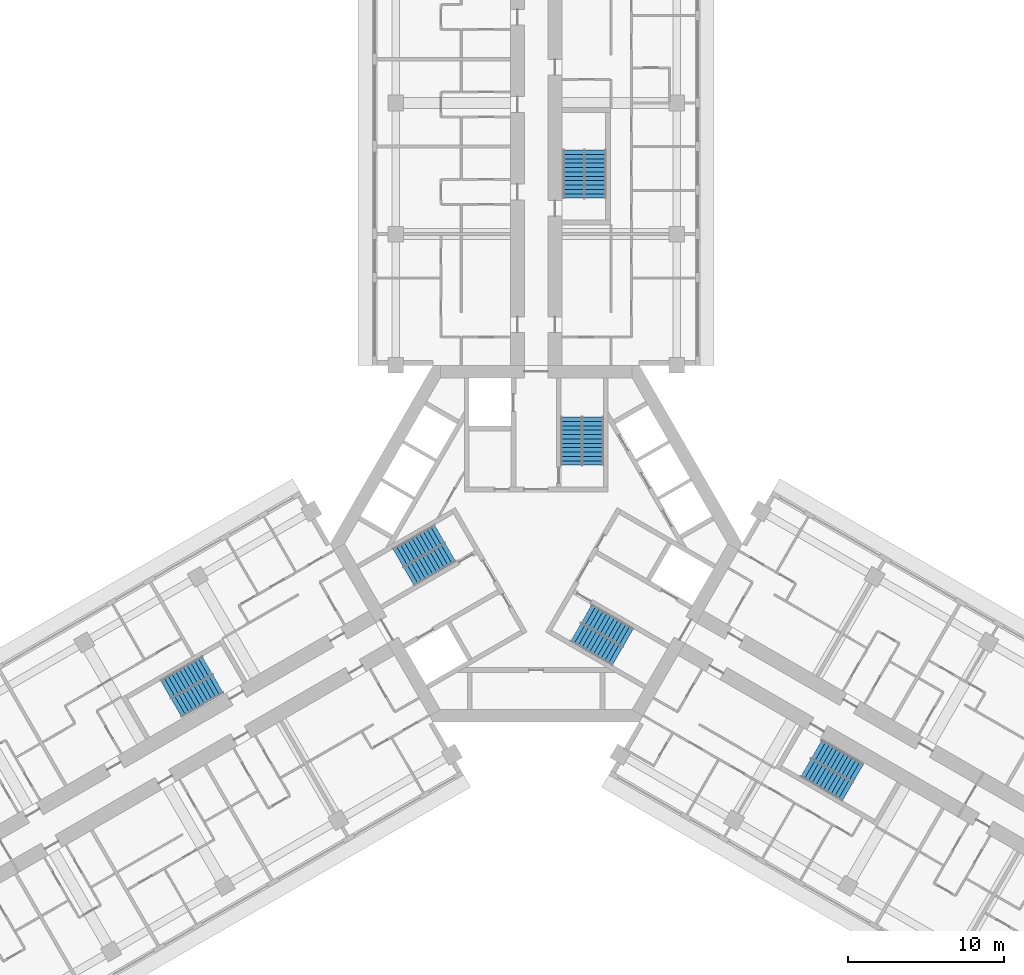
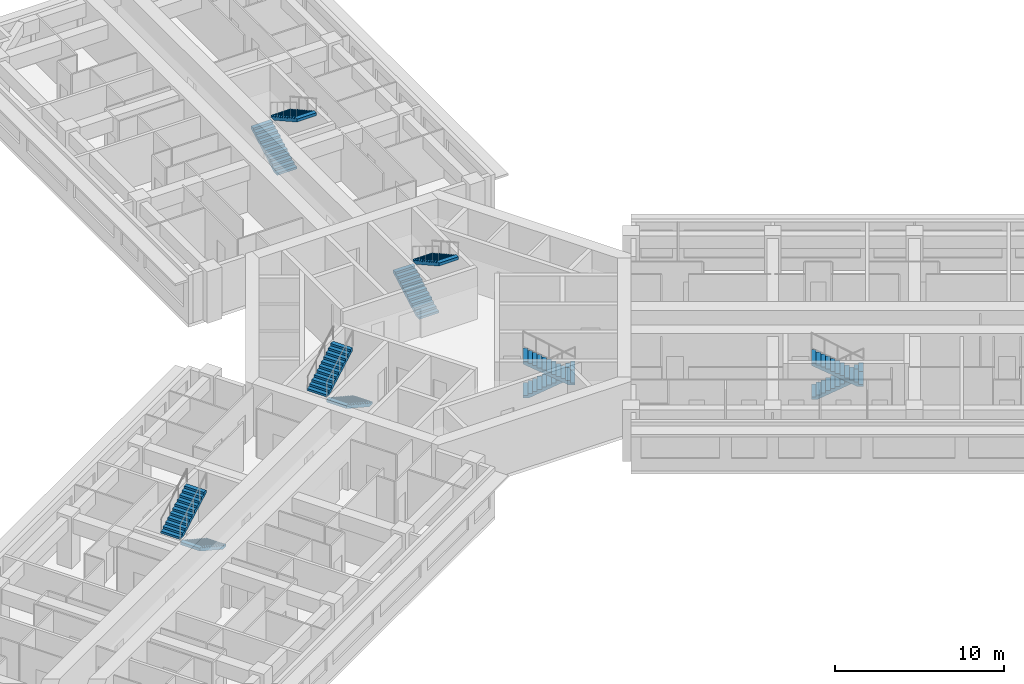
# One storey, part 14 of 15: 12 stair flights, 6 elements without a shape of their own.
"""IFC4 building model written with IfcOpenShell, lengths in metres."""

import ifcopenshell
import ifcopenshell.guid

model = None  # the IFC model being written
_history = None  # IfcOwnerHistory: only IFC2X3 demands one
_inside = {}  # id of a spatial element -> (the spatial element, [elements in it])
_under = {}  # id of a project, library or spatial element -> (it, [spatial elements below it])
_declared = {}  # id of a project -> (the project, [libraries it declares])
_typed = {}  # id of a type object -> (the type object, [elements of that type])
_made_of = {}  # id of a material, layer set ... -> (it, [elements and type objects made of it])


def new_model(schema):
    """Start an empty IFC model of exactly this schema.

    Asked for "IFC4X3", IfcOpenShell would pick the latest addendum, in which some entities
    have other attributes; the version numbers below select the first issue.
    IFC2X3 requires an IfcOwnerHistory on every rooted entity: one is made here for all.
    """
    global model, _history
    if schema == "IFC4X3":
        model = ifcopenshell.file(schema_version=(4, 3, 0, 0))
    else:
        model = ifcopenshell.file(schema=schema)
    _inside.clear()
    _under.clear()
    _declared.clear()
    _typed.clear()
    _made_of.clear()
    _history = None
    if model.schema == "IFC2X3":
        org = make("IfcOrganization", Name="unknown")
        user = make(
            "IfcPersonAndOrganization",
            ThePerson=make("IfcPerson", FamilyName="unknown"),
            TheOrganization=org,
        )
        app = make(
            "IfcApplication",
            ApplicationDeveloper=org,
            Version="unknown",
            ApplicationFullName="unknown",
            ApplicationIdentifier="unknown",
        )
        _history = make(
            "IfcOwnerHistory",
            OwningUser=user,
            OwningApplication=app,
            ChangeAction="ADDED",
            CreationDate=0,
        )
    return model


def make(cls, **values):
    """One entity of the class cls with the attributes given. An attribute that is None is left unset."""
    return model.create_entity(
        cls, **{name: value for name, value in values.items() if value is not None}
    )


def rooted(cls, **values):
    """An entity with a GlobalId (a new one), such as an element, a storey or a relation."""
    return make(cls, GlobalId=ifcopenshell.guid.new(), OwnerHistory=_history, **values)


def si_unit(unit_type, name, prefix=None):
    """IfcSIUnit, for example si_unit("LENGTHUNIT", "METRE", prefix="MILLI")."""
    return make("IfcSIUnit", UnitType=unit_type, Prefix=prefix, Name=name)


def assignment(units):
    """IfcUnitAssignment: the units of a project."""
    return None if units is None else make("IfcUnitAssignment", Units=units)


def point(xyz):
    """IfcCartesianPoint."""
    return None if xyz is None else make("IfcCartesianPoint", Coordinates=xyz)


def direction(xyz):
    """IfcDirection."""
    return None if xyz is None else make("IfcDirection", DirectionRatios=xyz)


def frame(location, z_axis=None, x_axis=None):
    """IfcAxis2Placement3D, a coordinate frame: its origin and axes. An axis left out is left unset."""
    return make(
        "IfcAxis2Placement3D",
        Location=point(location),
        Axis=direction(z_axis),
        RefDirection=direction(x_axis),
    )


def origin():
    """The frame at (0, 0, 0) with its axes left unset."""
    return frame((0.0, 0.0, 0.0))


def place(relative_to, where):
    """IfcLocalPlacement: puts the frame where relative to a parent placement (None: the world)."""
    return make(
        "IfcLocalPlacement", PlacementRelTo=relative_to, RelativePlacement=where
    )


def context(
    kind, dimensions, precision=None, world=None, true_north=None, identifier=None
):
    """IfcGeometricRepresentationContext, for example the 3D "Model" context."""
    return make(
        "IfcGeometricRepresentationContext",
        ContextIdentifier=identifier,
        ContextType=kind,
        CoordinateSpaceDimension=dimensions,
        Precision=precision,
        WorldCoordinateSystem=world,
        TrueNorth=true_north,
    )


def subcontext(parent, identifier, kind, view, scale=None):
    """IfcGeometricRepresentationSubContext, for example "Body" below "Model"."""
    return make(
        "IfcGeometricRepresentationSubContext",
        ContextIdentifier=identifier,
        ContextType=kind,
        ParentContext=parent,
        TargetScale=scale,
        TargetView=view,
    )


def project(units=None, contexts=None):
    """IfcProject with its units and contexts."""
    return rooted(
        "IfcProject",
        Name="project",
        RepresentationContexts=contexts,
        UnitsInContext=assignment(units),
    )


def spatial(cls, under=None, at=None, **own):
    """A site, building, storey or space (cls), placed at a placement, below another one or the project."""
    s = rooted(cls, ObjectPlacement=at, **own)
    if under is not None:
        _under.setdefault(under.id(), (under, []))[1].append(s)
    return s


def polyline(points):
    """IfcPolyline through the points."""
    return make("IfcPolyline", Points=[point(p) for p in points])


def outline(outer, holes=None, kind="AREA"):
    """IfcArbitraryClosedProfileDef: a profile drawn as a closed curve; with holes, ...WithVoids."""
    if holes is None:
        return make("IfcArbitraryClosedProfileDef", ProfileType=kind, OuterCurve=outer)
    return make(
        "IfcArbitraryProfileDefWithVoids",
        ProfileType=kind,
        OuterCurve=outer,
        InnerCurves=holes,
    )


def extrude(swept, where, along, depth):
    """IfcExtrudedAreaSolid: the profile swept, set in the frame where, extruded along a direction by depth."""
    return make(
        "IfcExtrudedAreaSolid",
        SweptArea=swept,
        Position=where,
        ExtrudedDirection=direction(along),
        Depth=depth,
    )


def shape(context_of_items, identifier, shape_type, items):
    """IfcShapeRepresentation: the items that make up one representation, for example the "Body"."""
    return make(
        "IfcShapeRepresentation",
        ContextOfItems=context_of_items,
        RepresentationIdentifier=identifier,
        RepresentationType=shape_type,
        Items=items,
    )


def material(Name=None, Category=None):
    """IfcMaterial."""
    return make("IfcMaterial", Name=Name, Category=Category)


def made_of(thing, what):
    """Note that an element or type object is made of a material, layer set ...; save() writes the relation."""
    if what is not None:
        _made_of.setdefault(what.id(), (what, []))[1].append(thing)
    return thing


def type_object(cls, material=None, **own):
    """A type object (cls), such as IfcWallType, which elements share."""
    return made_of(rooted(cls, **own), material)


def element(
    cls,
    number,
    at=None,
    inside=None,
    cuts=None,
    type_object=None,
    material=None,
    context=None,
    identifier="Body",
    shape_type=None,
    held_by="IfcProductDefinitionShape",
    body=None,
    shapes=None,
    **own,
):
    """One element of the class cls, such as IfcWall. Its Tag is "e" and its number.

    at: its placement. inside: the storey or other place that contains it. cuts: it is an
    opening in that element (IfcRelVoidsElement). A single representation is given by context,
    identifier, shape_type and body (its items); several are given by shapes. held_by: the class
    of the entity that holds the representations. save() writes the other relations.
    """
    e = rooted(cls, Tag="e%d" % number, ObjectPlacement=at, **own)
    if body is not None:
        shapes = [shape(context, identifier, shape_type, body)]
    if shapes is not None:
        e.Representation = make(held_by, Representations=shapes)
    if inside is not None:
        _inside.setdefault(inside.id(), (inside, []))[1].append(e)
    if cuts is not None:
        rooted(
            "IfcRelVoidsElement", RelatingBuildingElement=cuts, RelatedOpeningElement=e
        )
    if type_object is not None:
        _typed.setdefault(type_object.id(), (type_object, []))[1].append(e)
    return made_of(e, material)


def aggregate(whole, parts):
    """IfcRelAggregates: a whole, such as a stair, and the parts it consists of."""
    return rooted("IfcRelAggregates", RelatingObject=whole, RelatedObjects=parts)


def save(model, path):
    """Write the relations noted so far, then the file.

    IfcRelAggregates (storeys below a building ...), IfcRelContainedInSpatialStructure (elements
    in a storey), IfcRelDefinesByType, IfcRelAssociatesMaterial and IfcRelDeclares: one each for
    every whole, place, type object, material and project.
    """
    for whole, parts in _under.values():
        aggregate(whole, parts)
    for where, things in _inside.values():
        rooted(
            "IfcRelContainedInSpatialStructure",
            RelatedElements=things,
            RelatingStructure=where,
        )
    for kind, things in _typed.values():
        rooted("IfcRelDefinesByType", RelatedObjects=things, RelatingType=kind)
    for what, things in _made_of.values():
        rooted("IfcRelAssociatesMaterial", RelatedObjects=things, RelatingMaterial=what)
    for by, libraries in _declared.values():
        rooted("IfcRelDeclares", RelatingContext=by, RelatedDefinitions=libraries)
    model.write(path)


model = new_model("IFC4")

# Units and contexts
model_context = context("Model", 3, precision=1e-05, world=origin(), true_north=direction((0.0, 1.0)))
body_context = subcontext(model_context, "Body", "Model", "MODEL_VIEW")
ifc_project = project(units=[si_unit("LENGTHUNIT", "METRE"), si_unit("AREAUNIT", "SQUARE_METRE"), si_unit("VOLUMEUNIT", "CUBIC_METRE"), si_unit("PLANEANGLEUNIT", "RADIAN"), si_unit("MASSUNIT", "GRAM", prefix="KILO")], contexts=[model_context])

# Site, building, storey
site_placement = place(None, origin())
site = spatial("IfcSite", under=ifc_project, at=site_placement, CompositionType="ELEMENT")
building_placement = place(site_placement, origin())
building = spatial("IfcBuilding", under=site, at=building_placement, Name="Impinga Residences", CompositionType="ELEMENT")
storey_placement = place(building_placement, frame((0.0, 0.0, 113.5)))
storey = spatial("IfcBuildingStorey", under=building, at=storey_placement, Name="L27", CompositionType="ELEMENT", Elevation=113.5)

# Stair, stair flights
ifc_material = material(Name="Concrete C40/50", Category="concrete")
stair_type_1 = type_object("IfcStairType", Name="STR core stair 3750 storey, 24 risers", PredefinedType="HALF_TURN_STAIR", material=ifc_material)
stair_1_placement = place(storey_placement, origin())
stair_1 = element("IfcStair", 1, at=stair_1_placement, inside=storey, type_object=stair_type_1, Name="Stair ST1 L27", PredefinedType="HALF_TURN_STAIR")
stair_flight_type = type_object("IfcStairFlightType", Name="SF 12 risers of 156", PredefinedType="STRAIGHT", material=ifc_material)
stair_flight_1_placement = place(storey_placement, frame((2.27490234375, 5.030029296875, 0.0), z_axis=(0.0, 0.0, 1.0), x_axis=(0.0, 1.0, 0.0)))
stair_flight_1 = element("IfcStairFlight", 2, at=stair_flight_1_placement, type_object=stair_flight_type, Name="ST1 flight 1", NumberOfRisers=12, NumberOfTreads=11, PredefinedType="STRAIGHT", RiserHeight=0.15625, TreadLength=0.28, context=body_context, shape_type="SweptSolid", body=[
    extrude(outline(polyline([(0.0, 0.0), (0.0, 0.15625), (0.280029296875, 0.15625), (0.280029296875, 0.3125), (0.56005859375, 0.3125), (0.56005859375, 0.46875), (0.840087890625, 0.46875), (0.840087890625, 0.625), (1.1201171875, 0.625), (1.1201171875, 0.78125), (1.39990234375, 0.78125), (1.39990234375, 0.9375), (1.679931640625, 0.9375), (1.679931640625, 1.09375), (1.9599609375, 1.09375), (1.9599609375, 1.25), (2.239990234375, 1.25), (2.239990234375, 1.40625), (2.52001953125, 1.40625), (2.52001953125, 1.5625), (2.800048828125, 1.5625), (2.800048828125, 1.71875), (3.080078125, 1.71875), (3.080078125, 1.875), (3.080078125, 1.5126953125), (0.369140625, 0.0), (0.0, 0.0)])), frame((0.0, 0.675048828125, 0.0), z_axis=(0.0, -1.0, 0.0), x_axis=(1.0, 0.0, 0.0)), (0.0, 0.0, 1.0), 1.35009765625),
])
stair_flight_2_placement = place(storey_placement, frame((3.625, 8.110107421875, 1.875), z_axis=(0.0, 0.0, 1.0), x_axis=(0.0, -1.0, 0.0)))
stair_flight_2 = element("IfcStairFlight", 3, at=stair_flight_2_placement, type_object=stair_flight_type, Name="ST1 flight 2", NumberOfRisers=12, NumberOfTreads=11, PredefinedType="STRAIGHT", RiserHeight=0.15625, TreadLength=0.28, context=body_context, shape_type="SweptSolid", body=[
    extrude(outline(polyline([(0.0, 0.0), (0.0, 0.15625), (0.280029296875, 0.15625), (0.280029296875, 0.3125), (0.56005859375, 0.3125), (0.56005859375, 0.46875), (0.840087890625, 0.46875), (0.840087890625, 0.625), (1.1201171875, 0.625), (1.1201171875, 0.78125), (1.39990234375, 0.78125), (1.39990234375, 0.9375), (1.679931640625, 0.9375), (1.679931640625, 1.09375), (1.9599609375, 1.09375), (1.9599609375, 1.25), (2.239990234375, 1.25), (2.239990234375, 1.40625), (2.52001953125, 1.40625), (2.52001953125, 1.5625), (2.800048828125, 1.5625), (2.800048828125, 1.71875), (3.080078125, 1.71875), (3.080078125, 1.875), (3.080078125, 1.5126953125), (0.369140625, 0.0), (0.0, 0.0)])), frame((0.0, 0.675048828125, 0.0), z_axis=(0.0, -1.0, 0.0), x_axis=(1.0, 0.0, 0.0)), (0.0, 0.0, 1.0), 1.35009765625),
])
aggregate(stair_1, [stair_flight_1, stair_flight_2])

stair_2_placement = place(storey_placement, origin())
stair_2 = element("IfcStair", 4, at=stair_2_placement, inside=storey, type_object=stair_type_1, Name="Stair ST2 L27", PredefinedType="HALF_TURN_STAIR")
stair_flight_3_placement = place(storey_placement, frame((-5.49365234375, -0.544677734375, 0.0), z_axis=(0.0, 0.0, 1.0), x_axis=(-0.866025403784, -0.5, 0.0)))
stair_flight_3 = element("IfcStairFlight", 5, at=stair_flight_3_placement, type_object=stair_flight_type, Name="ST2 flight 1", NumberOfRisers=12, NumberOfTreads=11, PredefinedType="STRAIGHT", RiserHeight=0.15625, TreadLength=0.28, context=body_context, shape_type="SweptSolid", body=[
    extrude(outline(polyline([(0.0, 0.0), (0.0, 0.15625), (0.280029296875, 0.15625), (0.280029296875, 0.3125), (0.56005859375, 0.3125), (0.56005859375, 0.46875), (0.840087890625, 0.46875), (0.840087890625, 0.625), (1.1201171875, 0.625), (1.1201171875, 0.78125), (1.39990234375, 0.78125), (1.39990234375, 0.9375), (1.679931640625, 0.9375), (1.679931640625, 1.09375), (1.9599609375, 1.09375), (1.9599609375, 1.25), (2.239990234375, 1.25), (2.239990234375, 1.40625), (2.52001953125, 1.40625), (2.52001953125, 1.5625), (2.800048828125, 1.5625), (2.800048828125, 1.71875), (3.080078125, 1.71875), (3.080078125, 1.875), (3.080078125, 1.5126953125), (0.369140625, 0.0), (0.0, 0.0)])), frame((0.0, 0.675048828125, 0.0), z_axis=(0.0, -1.0, 0.0), x_axis=(1.0, 0.0, 0.0)), (0.0, 0.0, 1.0), 1.35009765625),
])
stair_flight_4_placement = place(storey_placement, frame((-8.8359375, -0.915771484375, 1.875), z_axis=(0.0, 0.0, 1.0), x_axis=(0.866025403784, 0.5, 0.0)))
stair_flight_4 = element("IfcStairFlight", 6, at=stair_flight_4_placement, type_object=stair_flight_type, Name="ST2 flight 2", NumberOfRisers=12, NumberOfTreads=11, PredefinedType="STRAIGHT", RiserHeight=0.15625, TreadLength=0.28, context=body_context, shape_type="SweptSolid", body=[
    extrude(outline(polyline([(0.0, 0.0), (0.0, 0.15625), (0.280029296875, 0.15625), (0.280029296875, 0.3125), (0.56005859375, 0.3125), (0.56005859375, 0.46875), (0.840087890625, 0.46875), (0.840087890625, 0.625), (1.1201171875, 0.625), (1.1201171875, 0.78125), (1.39990234375, 0.78125), (1.39990234375, 0.9375), (1.679931640625, 0.9375), (1.679931640625, 1.09375), (1.9599609375, 1.09375), (1.9599609375, 1.25), (2.239990234375, 1.25), (2.239990234375, 1.40625), (2.52001953125, 1.40625), (2.52001953125, 1.5625), (2.800048828125, 1.5625), (2.800048828125, 1.71875), (3.080078125, 1.71875), (3.080078125, 1.875), (3.080078125, 1.5126953125), (0.369140625, 0.0), (0.0, 0.0)])), frame((0.0, 0.675048828125, 0.0), z_axis=(0.0, -1.0, 0.0), x_axis=(1.0, 0.0, 0.0)), (0.0, 0.0, 1.0), 1.35009765625),
])
aggregate(stair_2, [stair_flight_3, stair_flight_4])

stair_3_placement = place(storey_placement, origin())
stair_3 = element("IfcStair", 7, at=stair_3_placement, inside=storey, type_object=stair_type_1, Name="Stair ST3 L27", PredefinedType="HALF_TURN_STAIR")
stair_flight_5_placement = place(storey_placement, frame((3.218505859375, -4.485107421875, 0.0), z_axis=(0.0, 0.0, 1.0), x_axis=(0.866025403784, -0.5, 0.0)))
stair_flight_5 = element("IfcStairFlight", 8, at=stair_flight_5_placement, type_object=stair_flight_type, Name="ST3 flight 1", NumberOfRisers=12, NumberOfTreads=11, PredefinedType="STRAIGHT", RiserHeight=0.15625, TreadLength=0.28, context=body_context, shape_type="SweptSolid", body=[
    extrude(outline(polyline([(0.0, 0.0), (0.0, 0.15625), (0.280029296875, 0.15625), (0.280029296875, 0.3125), (0.56005859375, 0.3125), (0.56005859375, 0.46875), (0.840087890625, 0.46875), (0.840087890625, 0.625), (1.1201171875, 0.625), (1.1201171875, 0.78125), (1.39990234375, 0.78125), (1.39990234375, 0.9375), (1.679931640625, 0.9375), (1.679931640625, 1.09375), (1.9599609375, 1.09375), (1.9599609375, 1.25), (2.239990234375, 1.25), (2.239990234375, 1.40625), (2.52001953125, 1.40625), (2.52001953125, 1.5625), (2.800048828125, 1.5625), (2.800048828125, 1.71875), (3.080078125, 1.71875), (3.080078125, 1.875), (3.080078125, 1.5126953125), (0.369140625, 0.0), (0.0, 0.0)])), frame((0.0, 0.675048828125, 0.0), z_axis=(0.0, -1.0, 0.0), x_axis=(1.0, 0.0, 0.0)), (0.0, 0.0, 1.0), 1.35009765625),
])
stair_flight_6_placement = place(storey_placement, frame((5.2109375, -7.1943359375, 1.875), z_axis=(0.0, 0.0, 1.0), x_axis=(-0.866025403784, 0.5, 0.0)))
stair_flight_6 = element("IfcStairFlight", 9, at=stair_flight_6_placement, type_object=stair_flight_type, Name="ST3 flight 2", NumberOfRisers=12, NumberOfTreads=11, PredefinedType="STRAIGHT", RiserHeight=0.15625, TreadLength=0.28, context=body_context, shape_type="SweptSolid", body=[
    extrude(outline(polyline([(0.0, 0.0), (0.0, 0.15625), (0.280029296875, 0.15625), (0.280029296875, 0.3125), (0.56005859375, 0.3125), (0.56005859375, 0.46875), (0.840087890625, 0.46875), (0.840087890625, 0.625), (1.1201171875, 0.625), (1.1201171875, 0.78125), (1.39990234375, 0.78125), (1.39990234375, 0.9375), (1.679931640625, 0.9375), (1.679931640625, 1.09375), (1.9599609375, 1.09375), (1.9599609375, 1.25), (2.239990234375, 1.25), (2.239990234375, 1.40625), (2.52001953125, 1.40625), (2.52001953125, 1.5625), (2.800048828125, 1.5625), (2.800048828125, 1.71875), (3.080078125, 1.71875), (3.080078125, 1.875), (3.080078125, 1.5126953125), (0.369140625, 0.0), (0.0, 0.0)])), frame((0.0, 0.675048828125, 0.0), z_axis=(0.0, -1.0, 0.0), x_axis=(1.0, 0.0, 0.0)), (0.0, 0.0, 1.0), 1.35009765625),
])
aggregate(stair_3, [stair_flight_5, stair_flight_6])

stair_type_2 = type_object("IfcStairType", Name="STR wing stair 3750 storey, 24 risers", PredefinedType="HALF_TURN_STAIR", material=ifc_material)
stair_4_placement = place(storey_placement, origin())
stair_4 = element("IfcStair", 10, at=stair_4_placement, inside=storey, type_object=stair_type_2, Name="Stair WS1 L27", PredefinedType="HALF_TURN_STAIR")
stair_flight_7_placement = place(storey_placement, frame((2.425048828125, 22.131591796875, 0.0), z_axis=(0.0, 0.0, 1.0), x_axis=(0.0, 1.0, 0.0)))
stair_flight_7 = element("IfcStairFlight", 11, at=stair_flight_7_placement, type_object=stair_flight_type, Name="WS1 flight 1", NumberOfRisers=12, NumberOfTreads=11, PredefinedType="STRAIGHT", RiserHeight=0.15625, TreadLength=0.28, context=body_context, shape_type="SweptSolid", body=[
    extrude(outline(polyline([(0.0, 0.0), (0.0, 0.15625), (0.280029296875, 0.15625), (0.280029296875, 0.3125), (0.56005859375, 0.3125), (0.56005859375, 0.46875), (0.840087890625, 0.46875), (0.840087890625, 0.625), (1.1201171875, 0.625), (1.1201171875, 0.78125), (1.39990234375, 0.78125), (1.39990234375, 0.9375), (1.679931640625, 0.9375), (1.679931640625, 1.09375), (1.9599609375, 1.09375), (1.9599609375, 1.25), (2.239990234375, 1.25), (2.239990234375, 1.40625), (2.52001953125, 1.40625), (2.52001953125, 1.5625), (2.800048828125, 1.5625), (2.800048828125, 1.71875), (3.080078125, 1.71875), (3.080078125, 1.875), (3.080078125, 1.5126953125), (0.369140625, 0.0), (0.0, 0.0)])), frame((0.0, 0.675048828125, 0.0), z_axis=(0.0, -1.0, 0.0), x_axis=(1.0, 0.0, 0.0)), (0.0, 0.0, 1.0), 1.35009765625),
])
stair_flight_8_placement = place(storey_placement, frame((3.77490234375, 25.21142578125, 1.875), z_axis=(0.0, 0.0, 1.0), x_axis=(0.0, -1.0, 0.0)))
stair_flight_8 = element("IfcStairFlight", 12, at=stair_flight_8_placement, type_object=stair_flight_type, Name="WS1 flight 2", NumberOfRisers=12, NumberOfTreads=11, PredefinedType="STRAIGHT", RiserHeight=0.15625, TreadLength=0.28, context=body_context, shape_type="SweptSolid", body=[
    extrude(outline(polyline([(0.0, 0.0), (0.0, 0.15625), (0.280029296875, 0.15625), (0.280029296875, 0.3125), (0.56005859375, 0.3125), (0.56005859375, 0.46875), (0.840087890625, 0.46875), (0.840087890625, 0.625), (1.1201171875, 0.625), (1.1201171875, 0.78125), (1.39990234375, 0.78125), (1.39990234375, 0.9375), (1.679931640625, 0.9375), (1.679931640625, 1.09375), (1.9599609375, 1.09375), (1.9599609375, 1.25), (2.239990234375, 1.25), (2.239990234375, 1.40625), (2.52001953125, 1.40625), (2.52001953125, 1.5625), (2.800048828125, 1.5625), (2.800048828125, 1.71875), (3.080078125, 1.71875), (3.080078125, 1.875), (3.080078125, 1.5126953125), (0.369140625, 0.0), (0.0, 0.0)])), frame((0.0, 0.675048828125, 0.0), z_axis=(0.0, -1.0, 0.0), x_axis=(1.0, 0.0, 0.0)), (0.0, 0.0, 1.0), 1.35009765625),
])
aggregate(stair_4, [stair_flight_7, stair_flight_8])

stair_5_placement = place(storey_placement, origin())
stair_5 = element("IfcStair", 13, at=stair_5_placement, inside=storey, type_object=stair_type_2, Name="Stair WS2 L27", PredefinedType="HALF_TURN_STAIR")
stair_flight_9_placement = place(storey_placement, frame((-20.37890625, -8.965576171875, 0.0), z_axis=(0.0, 0.0, 1.0), x_axis=(-0.866025403784, -0.5, 0.0)))
stair_flight_9 = element("IfcStairFlight", 14, at=stair_flight_9_placement, type_object=stair_flight_type, Name="WS2 flight 1", NumberOfRisers=12, NumberOfTreads=11, PredefinedType="STRAIGHT", RiserHeight=0.15625, TreadLength=0.28, context=body_context, shape_type="SweptSolid", body=[
    extrude(outline(polyline([(0.0, 0.0), (0.0, 0.15625), (0.280029296875, 0.15625), (0.280029296875, 0.3125), (0.56005859375, 0.3125), (0.56005859375, 0.46875), (0.840087890625, 0.46875), (0.840087890625, 0.625), (1.1201171875, 0.625), (1.1201171875, 0.78125), (1.39990234375, 0.78125), (1.39990234375, 0.9375), (1.679931640625, 0.9375), (1.679931640625, 1.09375), (1.9599609375, 1.09375), (1.9599609375, 1.25), (2.239990234375, 1.25), (2.239990234375, 1.40625), (2.52001953125, 1.40625), (2.52001953125, 1.5625), (2.800048828125, 1.5625), (2.800048828125, 1.71875), (3.080078125, 1.71875), (3.080078125, 1.875), (3.080078125, 1.5126953125), (0.369140625, 0.0), (0.0, 0.0)])), frame((0.0, 0.675048828125, 0.0), z_axis=(0.0, -1.0, 0.0), x_axis=(1.0, 0.0, 0.0)), (0.0, 0.0, 1.0), 1.35009765625),
])
stair_flight_10_placement = place(storey_placement, frame((-23.721435546875, -9.33642578125, 1.875), z_axis=(0.0, 0.0, 1.0), x_axis=(0.866025403784, 0.5, 0.0)))
stair_flight_10 = element("IfcStairFlight", 15, at=stair_flight_10_placement, type_object=stair_flight_type, Name="WS2 flight 2", NumberOfRisers=12, NumberOfTreads=11, PredefinedType="STRAIGHT", RiserHeight=0.15625, TreadLength=0.28, context=body_context, shape_type="SweptSolid", body=[
    extrude(outline(polyline([(0.0, 0.0), (0.0, 0.15625), (0.280029296875, 0.15625), (0.280029296875, 0.3125), (0.56005859375, 0.3125), (0.56005859375, 0.46875), (0.840087890625, 0.46875), (0.840087890625, 0.625), (1.1201171875, 0.625), (1.1201171875, 0.78125), (1.39990234375, 0.78125), (1.39990234375, 0.9375), (1.679931640625, 0.9375), (1.679931640625, 1.09375), (1.9599609375, 1.09375), (1.9599609375, 1.25), (2.239990234375, 1.25), (2.239990234375, 1.40625), (2.52001953125, 1.40625), (2.52001953125, 1.5625), (2.800048828125, 1.5625), (2.800048828125, 1.71875), (3.080078125, 1.71875), (3.080078125, 1.875), (3.080078125, 1.5126953125), (0.369140625, 0.0), (0.0, 0.0)])), frame((0.0, 0.675048828125, 0.0), z_axis=(0.0, -1.0, 0.0), x_axis=(1.0, 0.0, 0.0)), (0.0, 0.0, 1.0), 1.35009765625),
])
aggregate(stair_5, [stair_flight_9, stair_flight_10])

stair_6_placement = place(storey_placement, origin())
stair_6 = element("IfcStair", 16, at=stair_6_placement, inside=storey, type_object=stair_type_2, Name="Stair WS3 L27", PredefinedType="HALF_TURN_STAIR")
stair_flight_11_placement = place(storey_placement, frame((17.953857421875, -13.165771484375, 0.0), z_axis=(0.0, 0.0, 1.0), x_axis=(0.866025403784, -0.5, 0.0)))
stair_flight_11 = element("IfcStairFlight", 17, at=stair_flight_11_placement, type_object=stair_flight_type, Name="WS3 flight 1", NumberOfRisers=12, NumberOfTreads=11, PredefinedType="STRAIGHT", RiserHeight=0.15625, TreadLength=0.28, context=body_context, shape_type="SweptSolid", body=[
    extrude(outline(polyline([(0.0, 0.0), (0.0, 0.15625), (0.280029296875, 0.15625), (0.280029296875, 0.3125), (0.56005859375, 0.3125), (0.56005859375, 0.46875), (0.840087890625, 0.46875), (0.840087890625, 0.625), (1.1201171875, 0.625), (1.1201171875, 0.78125), (1.39990234375, 0.78125), (1.39990234375, 0.9375), (1.679931640625, 0.9375), (1.679931640625, 1.09375), (1.9599609375, 1.09375), (1.9599609375, 1.25), (2.239990234375, 1.25), (2.239990234375, 1.40625), (2.52001953125, 1.40625), (2.52001953125, 1.5625), (2.800048828125, 1.5625), (2.800048828125, 1.71875), (3.080078125, 1.71875), (3.080078125, 1.875), (3.080078125, 1.5126953125), (0.369140625, 0.0), (0.0, 0.0)])), frame((0.0, 0.675048828125, 0.0), z_axis=(0.0, -1.0, 0.0), x_axis=(1.0, 0.0, 0.0)), (0.0, 0.0, 1.0), 1.35009765625),
])
stair_flight_12_placement = place(storey_placement, frame((19.9462890625, -15.875, 1.875), z_axis=(0.0, 0.0, 1.0), x_axis=(-0.866025403784, 0.5, 0.0)))
stair_flight_12 = element("IfcStairFlight", 18, at=stair_flight_12_placement, type_object=stair_flight_type, Name="WS3 flight 2", NumberOfRisers=12, NumberOfTreads=11, PredefinedType="STRAIGHT", RiserHeight=0.15625, TreadLength=0.28, context=body_context, shape_type="SweptSolid", body=[
    extrude(outline(polyline([(0.0, 0.0), (0.0, 0.15625), (0.280029296875, 0.15625), (0.280029296875, 0.3125), (0.56005859375, 0.3125), (0.56005859375, 0.46875), (0.840087890625, 0.46875), (0.840087890625, 0.625), (1.1201171875, 0.625), (1.1201171875, 0.78125), (1.39990234375, 0.78125), (1.39990234375, 0.9375), (1.679931640625, 0.9375), (1.679931640625, 1.09375), (1.9599609375, 1.09375), (1.9599609375, 1.25), (2.239990234375, 1.25), (2.239990234375, 1.40625), (2.52001953125, 1.40625), (2.52001953125, 1.5625), (2.800048828125, 1.5625), (2.800048828125, 1.71875), (3.080078125, 1.71875), (3.080078125, 1.875), (3.080078125, 1.5126953125), (0.369140625, 0.0), (0.0, 0.0)])), frame((0.0, 0.675048828125, 0.0), z_axis=(0.0, -1.0, 0.0), x_axis=(1.0, 0.0, 0.0)), (0.0, 0.0, 1.0), 1.35009765625),
])
aggregate(stair_6, [stair_flight_11, stair_flight_12])

save(model, "model.ifc")
